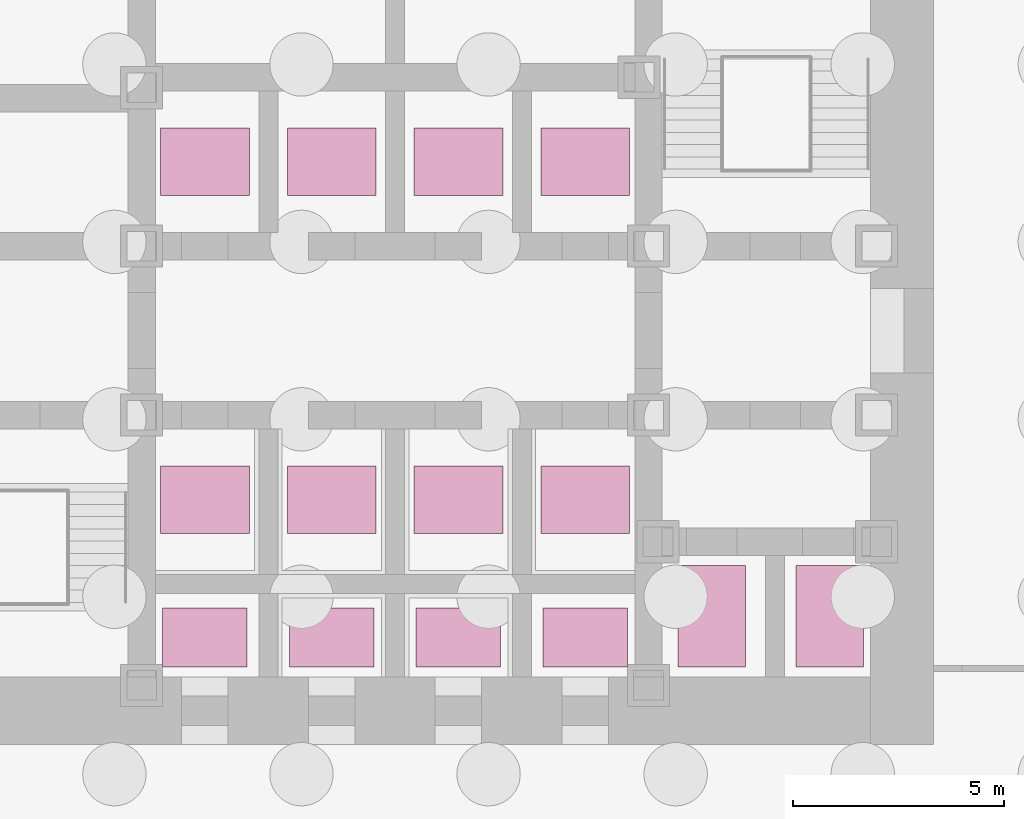
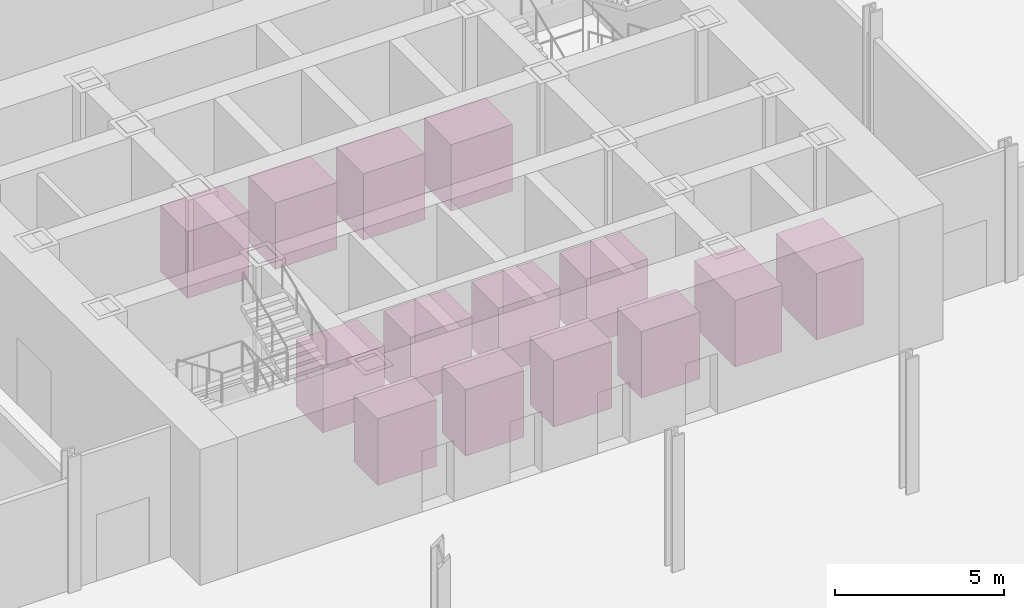
# One storey, part 24 of 24: 14 transport elements.
"""IFC4 building model written with IfcOpenShell, lengths in metres."""

from ifc_helpers import new_model, si_unit, direction, frame, origin, origin_2d, place, context, subcontext, project, spatial, rectangle, extrude, material, type_object, element, save


model = new_model("IFC4")

# Units and contexts
model_context = context("Model", 3, precision=1e-05, world=origin(), true_north=direction((0.0, 1.0)))
body_context = subcontext(model_context, "Body", "Model", "MODEL_VIEW")
ifc_project = project(units=[si_unit("LENGTHUNIT", "METRE"), si_unit("AREAUNIT", "SQUARE_METRE"), si_unit("VOLUMEUNIT", "CUBIC_METRE"), si_unit("PLANEANGLEUNIT", "RADIAN"), si_unit("MASSUNIT", "GRAM", prefix="KILO")], contexts=[model_context])

# Site, building, storey
site_placement = place(None, origin())
site = spatial("IfcSite", under=ifc_project, at=site_placement, CompositionType="ELEMENT")
building_placement = place(site_placement, origin())
building = spatial("IfcBuilding", under=site, at=building_placement, Name="Daluyong Arena Tower", CompositionType="ELEMENT")
storey_placement = place(building_placement, origin())
storey = spatial("IfcBuildingStorey", under=building, at=storey_placement, Name="L00", CompositionType="ELEMENT", Elevation=0.0)

# Transport elements
ifc_material_1 = material(Name="Lift car, steel and glass", Category="steel")
transport_element_type_1 = type_object("IfcTransportElementType", Name="Firefighting lift 1800 kg", PredefinedType="ELEVATOR", material=ifc_material_1)
for number, where, z_axis, x_axis, name in (
    (1, (63.5, 73.237548828125, 0.0), (0.0, 0.0, 1.0), (1.0, 0.0, 0.0), "lift FL1"),
    (2, (66.28759765625, 73.237548828125, 0.0), (0.0, 0.0, 1.0), (1.0, 0.0, 0.0), "lift FL2"),
):
    element("IfcTransportElement", number, at=place(storey_placement, frame(where, z_axis=z_axis, x_axis=x_axis)), inside=storey, type_object=transport_element_type_1, Name=name, PredefinedType="ELEVATOR", context=body_context, shape_type="SweptSolid", body=[
        extrude(rectangle(XDim=1.60009765625, YDim=2.39990234375, at=origin_2d()), origin(), (0.0, 0.0, 1.0), 2.39990234375),
    ])
ifc_material_2 = material(Name="Lift car, steel and glass", Category="steel")
transport_element_type_2 = type_object("IfcTransportElementType", Name="Passenger lift 1350 kg", PredefinedType="ELEVATOR", material=ifc_material_2)
for number, where, z_axis, x_axis, name in (
    (3, (51.5, 72.737548828125, 0.0), (0.0, 0.0, 1.0), (1.0, 0.0, 0.0), "lift C1"),
    (4, (54.5, 72.737548828125, 0.0), (0.0, 0.0, 1.0), (1.0, 0.0, 0.0), "lift C2"),
    (5, (57.5, 72.737548828125, 0.0), (0.0, 0.0, 1.0), (1.0, 0.0, 0.0), "lift C3"),
    (6, (60.5, 72.737548828125, 0.0), (0.0, 0.0, 1.0), (1.0, 0.0, 0.0), "lift C4"),
):
    element("IfcTransportElement", number, at=place(storey_placement, frame(where, z_axis=z_axis, x_axis=x_axis)), inside=storey, type_object=transport_element_type_2, Name=name, PredefinedType="ELEVATOR", context=body_context, shape_type="SweptSolid", body=[
        extrude(rectangle(XDim=2.0, YDim=1.39990234375, at=origin_2d()), origin(), (0.0, 0.0, 1.0), 2.39990234375),
    ])
ifc_material_3 = material(Name="Lift car, steel and glass", Category="steel")
transport_element_type_3 = type_object("IfcTransportElementType", Name="Passenger lift 1600 kg", PredefinedType="ELEVATOR", material=ifc_material_3)
for number, where, z_axis, x_axis, name in (
    (7, (51.5, 76.0, 0.0), (0.0, 0.0, 1.0), (1.0, 0.0, 0.0), "lift A1"),
    (8, (54.5, 76.0, 0.0), (0.0, 0.0, 1.0), (1.0, 0.0, 0.0), "lift A2"),
    (9, (57.5, 76.0, 0.0), (0.0, 0.0, 1.0), (1.0, 0.0, 0.0), "lift A3"),
    (10, (60.5, 76.0, 0.0), (0.0, 0.0, 1.0), (1.0, 0.0, 0.0), "lift A4"),
    (11, (51.5, 84.0, 0.0), (0.0, 0.0, 1.0), (1.0, 0.0, 0.0), "lift B1"),
    (12, (54.5, 84.0, 0.0), (0.0, 0.0, 1.0), (1.0, 0.0, 0.0), "lift B2"),
    (13, (57.5, 84.0, 0.0), (0.0, 0.0, 1.0), (1.0, 0.0, 0.0), "lift B3"),
    (14, (60.5, 84.0, 0.0), (0.0, 0.0, 1.0), (1.0, 0.0, 0.0), "lift B4"),
):
    element("IfcTransportElement", number, at=place(storey_placement, frame(where, z_axis=z_axis, x_axis=x_axis)), inside=storey, type_object=transport_element_type_3, Name=name, PredefinedType="ELEVATOR", context=body_context, shape_type="SweptSolid", body=[
        extrude(rectangle(XDim=2.10009765625, YDim=1.60009765625, at=origin_2d()), origin(), (0.0, 0.0, 1.0), 2.39990234375),
    ])

save(model, "model.ifc")
